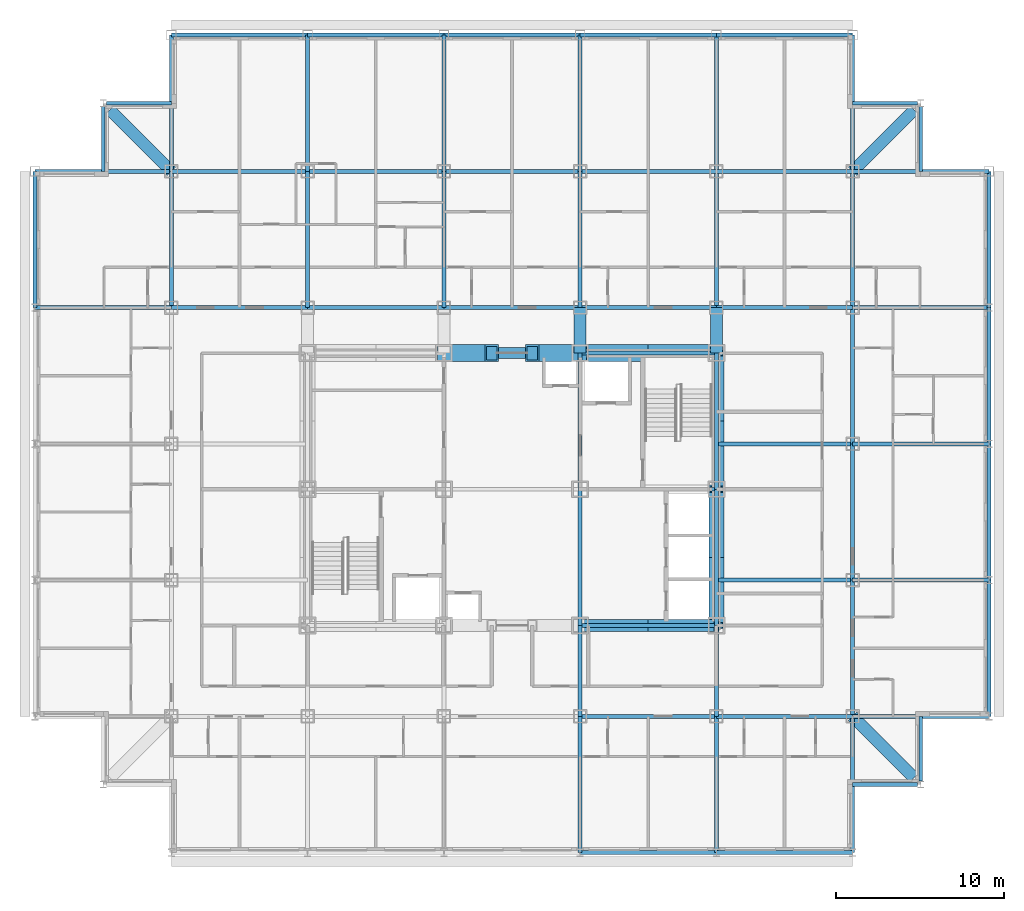
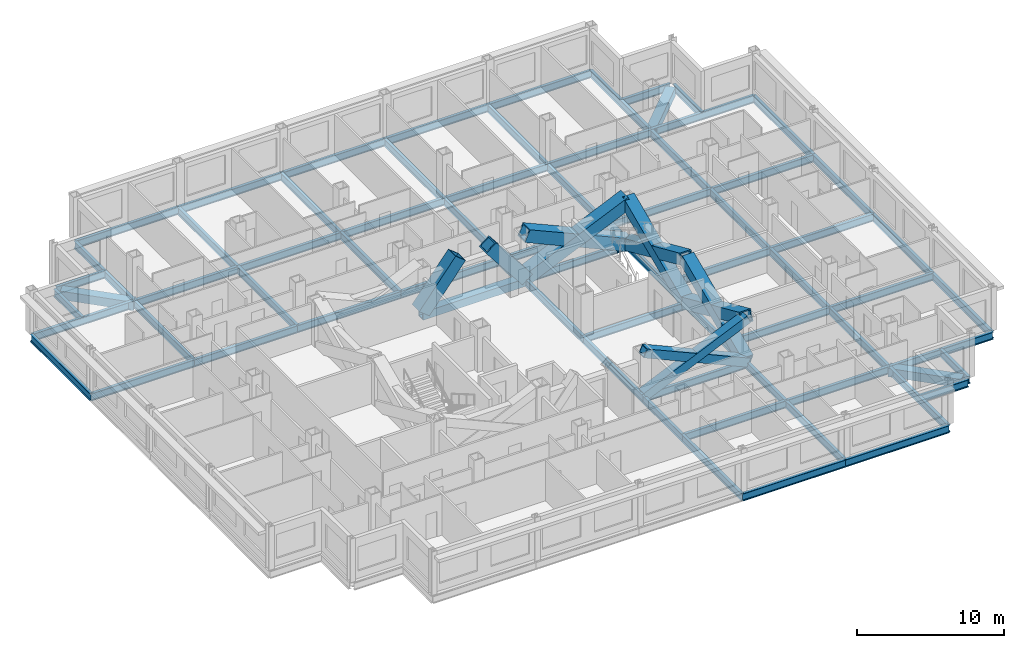
# One storey, part 2 of 12: 72 beams, 10 members.
"""IFC4 building model written with IfcOpenShell, lengths in metres."""

from ifc_helpers import new_model, si_unit, direction, frame, origin, origin_2d, place, context, subcontext, project, spatial, hollow_rectangle, i_section, extrude, material, material_profile, profile_set, type_object, element, save


model = new_model("IFC4")

# Units and contexts
model_context = context("Model", 3, precision=1e-05, world=origin(), true_north=direction((0.0, 1.0)))
body_context = subcontext(model_context, "Body", "Model", "MODEL_VIEW")
ifc_project = project(units=[si_unit("LENGTHUNIT", "METRE"), si_unit("AREAUNIT", "SQUARE_METRE"), si_unit("VOLUMEUNIT", "CUBIC_METRE"), si_unit("PLANEANGLEUNIT", "RADIAN"), si_unit("MASSUNIT", "GRAM", prefix="KILO")], contexts=[model_context])

# Site, building, storey
site_placement = place(None, origin())
site = spatial("IfcSite", under=ifc_project, at=site_placement, CompositionType="ELEMENT")
building_placement = place(site_placement, origin())
building = spatial("IfcBuilding", under=site, at=building_placement, Name="Kopane Lantern Tower", CompositionType="ELEMENT")
storey_placement = place(building_placement, frame((0.0, 0.0, 195.60009765625)))
storey = spatial("IfcBuildingStorey", under=building, at=storey_placement, Name="L50", CompositionType="ELEMENT", Elevation=195.60009765625)

# Members
ifc_material_1 = material(Name="Steel S355JR", Category="steel")
ifc_material_profile_1 = material_profile(ifc_material_1, hollow_rectangle(XDim=1.0, YDim=1.0, WallThickness=0.10009765625, at=origin_2d()), Name="BOX 1000x1000x100")
ifc_profile_set_1 = profile_set([ifc_material_profile_1], Name="Steel S355JR")
member_type_1 = type_object("IfcMemberType", Name="BRACE BOX 1000x1000x100", PredefinedType="BRACE", material=ifc_profile_set_1)
for number, where, z_axis, x_axis, name in (
    (1, (24.300048828125, 40.5, -0.210205078125), (0.620672981644, 0.0, 0.784069544018), (0.0, 1.0, 0.0), "Core brace L50"),
    (2, (32.39990234375, 40.5, -0.210205078125), (-0.620672981644, 0.0, 0.784069544018), (0.0, -1.0, 0.0), "Core brace L50"),
):
    element("IfcMember", number, at=place(storey_placement, frame(where, z_axis=z_axis, x_axis=x_axis)), inside=storey, type_object=member_type_1, Name=name, PredefinedType="BRACE", context=body_context, shape_type="SweptSolid", body=[
        extrude(hollow_rectangle(XDim=1.0, YDim=1.0, WallThickness=0.10009765625, at=origin_2d()), origin(), (0.0, 0.0, 1.0), 4.591552734375),
    ])
for number, where, z_axis, x_axis, name in (
    (3, (32.39990234375, 40.5, -0.210205078125), (0.913809277049, 0.0, 0.40614357705), (0.0, 1.0, 0.0), "Core brace L50"),
    (4, (40.5, 40.5, -0.210205078125), (-0.913809277049, 0.0, 0.40614357705), (0.0, -1.0, 0.0), "Core brace L50"),
):
    element("IfcMember", number, at=place(storey_placement, frame(where, z_axis=z_axis, x_axis=x_axis)), inside=storey, type_object=member_type_1, Name=name, PredefinedType="BRACE", context=body_context, shape_type="SweptSolid", body=[
        extrude(hollow_rectangle(XDim=1.0, YDim=1.0, WallThickness=0.10009765625, at=origin_2d()), origin(), (0.0, 0.0, 1.0), 8.864013671875),
    ])
ifc_material_2 = material(Name="Steel S355JR", Category="steel")
ifc_material_profile_2 = material_profile(ifc_material_2, hollow_rectangle(XDim=0.699951171875, YDim=0.699951171875, WallThickness=0.06005859375, at=origin_2d()), Name="BOX 700x700x60")
ifc_profile_set_2 = profile_set([ifc_material_profile_2], Name="Steel S355JR")
member_type_2 = type_object("IfcMemberType", Name="BRACE BOX 700x700x60", PredefinedType="BRACE", material=ifc_profile_set_2)
for number, where, z_axis, x_axis, name in (
    (5, (32.39990234375, 24.300048828125, -0.210205078125), (0.913809277049, 0.0, 0.40614357705), (0.0, 1.0, 0.0), "Core brace L50"),
    (6, (40.5, 24.300048828125, -0.210205078125), (-0.913809277049, 0.0, 0.40614357705), (0.0, -1.0, 0.0), "Core brace L50"),
):
    element("IfcMember", number, at=place(storey_placement, frame(where, z_axis=z_axis, x_axis=x_axis)), inside=storey, type_object=member_type_2, Name=name, PredefinedType="BRACE", context=body_context, shape_type="SweptSolid", body=[
        extrude(hollow_rectangle(XDim=0.699951171875, YDim=0.699951171875, WallThickness=0.06005859375, at=origin_2d()), origin(), (0.0, 0.0, 1.0), 8.864013671875),
    ])
ifc_material_3 = material(Name="Steel S355JR", Category="steel")
ifc_material_profile_3 = material_profile(ifc_material_3, hollow_rectangle(XDim=0.89990234375, YDim=0.89990234375, WallThickness=0.090087890625, at=origin_2d()), Name="BOX 900x900x90")
ifc_profile_set_3 = profile_set([ifc_material_profile_3], Name="Steel S355JR")
member_type_3 = type_object("IfcMemberType", Name="BRACE BOX 900x900x90", PredefinedType="BRACE", material=ifc_profile_set_3)
for number, where, z_axis, x_axis, name in (
    (7, (40.5, 24.300048828125, -0.210205078125), (0.0, 0.91380473365, 0.406153799391), (-1.0, 0.0, 0.0), "Core brace L50"),
    (8, (40.5, 32.39990234375, -0.210205078125), (0.0, -0.91380473365, 0.406153799391), (1.0, 0.0, 0.0), "Core brace L50"),
):
    element("IfcMember", number, at=place(storey_placement, frame(where, z_axis=z_axis, x_axis=x_axis)), inside=storey, type_object=member_type_3, Name=name, PredefinedType="BRACE", context=body_context, shape_type="SweptSolid", body=[
        extrude(hollow_rectangle(XDim=0.89990234375, YDim=0.89990234375, WallThickness=0.090087890625, at=origin_2d()), origin(), (0.0, 0.0, 1.0), 8.86376953125),
    ])
for number, where, z_axis, x_axis, name in (
    (9, (40.5, 32.39990234375, -0.210205078125), (0.0, 0.913809277049, 0.40614357705), (-1.0, 0.0, 0.0), "Core brace L50"),
    (10, (40.5, 40.5, -0.210205078125), (0.0, -0.913809277049, 0.40614357705), (1.0, 0.0, 0.0), "Core brace L50"),
):
    element("IfcMember", number, at=place(storey_placement, frame(where, z_axis=z_axis, x_axis=x_axis)), inside=storey, type_object=member_type_3, Name=name, PredefinedType="BRACE", context=body_context, shape_type="SweptSolid", body=[
        extrude(hollow_rectangle(XDim=0.89990234375, YDim=0.89990234375, WallThickness=0.090087890625, at=origin_2d()), origin(), (0.0, 0.0, 1.0), 8.864013671875),
    ])

# Beams
ifc_material_4 = material(Name="Steel S355JR", Category="steel")
ifc_material_profile_4 = material_profile(ifc_material_4, i_section(OverallWidth=0.22900390625, OverallDepth=0.6123046875, WebThickness=0.011962890625, FlangeThickness=0.01953125, FilletRadius=0.0126953125, at=origin_2d()), Name="UB 610x229x125")
ifc_profile_set_4 = profile_set([ifc_material_profile_4], Name="Steel S355JR")
beam_type_1 = type_object("IfcBeamType", Name="CORE BEAM UB 610x229x125", PredefinedType="BEAM", material=ifc_profile_set_4)
beam_1_placement = place(storey_placement, frame((32.39990234375, 24.300048828125, -0.51611328125), z_axis=(0.0, 1.0, 0.0), x_axis=(-1.0, 0.0, 0.0)))
element("IfcBeam", 11, at=beam_1_placement, inside=storey, type_object=beam_type_1, Name="Core Beam L50", PredefinedType="BEAM", context=body_context, shape_type="SweptSolid", body=[
    extrude(i_section(OverallWidth=0.22900390625, OverallDepth=0.6123046875, WebThickness=0.011962890625, FlangeThickness=0.01953125, FilletRadius=0.0126953125, at=origin_2d()), origin(), (0.0, 0.0, 1.0), 8.099853515625),
])
for number, where, z_axis, x_axis, name in (
    (12, (32.39990234375, 32.39990234375, -0.51611328125), (0.0, 1.0, 0.0), (-1.0, 0.0, 0.0), "Core Beam L50"),
    (13, (32.39990234375, 32.39990234375, -0.51611328125), (1.0, 0.0, 0.0), (0.0, 1.0, 0.0), "Core Beam L50"),
):
    element("IfcBeam", number, at=place(storey_placement, frame(where, z_axis=z_axis, x_axis=x_axis)), inside=storey, type_object=beam_type_1, Name=name, PredefinedType="BEAM", context=body_context, shape_type="SweptSolid", body=[
        extrude(i_section(OverallWidth=0.22900390625, OverallDepth=0.6123046875, WebThickness=0.011962890625, FlangeThickness=0.01953125, FilletRadius=0.0126953125, at=origin_2d()), origin(), (0.0, 0.0, 1.0), 8.10009765625),
    ])
ifc_material_5 = material(Name="Steel S355JR", Category="steel")
ifc_material_profile_5 = material_profile(ifc_material_5, hollow_rectangle(XDim=0.699951171875, YDim=0.699951171875, WallThickness=0.06005859375, at=origin_2d()), Name="BOX 700x700x60")
ifc_profile_set_5 = profile_set([ifc_material_profile_5], Name="Steel S355JR")
beam_type_2 = type_object("IfcBeamType", Name="CORNER TIE BEAM BOX 700x700x60", PredefinedType="BEAM", material=ifc_profile_set_5)
for number, where, z_axis, x_axis, name in (
    (14, (4.447509765625, 54.952392578125, -0.56005859375), (0.70713041325, -0.707083148333, 0.0), (0.707083148333, 0.70713041325, 0.0), "Corner Tie Beam L50"),
    (15, (52.25244140625, 15.24755859375, -0.56005859375), (-0.707106781187, 0.707106781187, 0.0), (-0.707106781187, -0.707106781187, 0.0), "Corner Tie Beam L50"),
    (16, (52.25244140625, 54.952392578125, -0.56005859375), (-0.707106781187, -0.707106781187, 0.0), (0.707106781187, -0.707106781187, 0.0), "Corner Tie Beam L50"),
):
    element("IfcBeam", number, at=place(storey_placement, frame(where, z_axis=z_axis, x_axis=x_axis)), inside=storey, type_object=beam_type_2, Name=name, PredefinedType="BEAM", context=body_context, shape_type="SweptSolid", body=[
        extrude(hollow_rectangle(XDim=0.699951171875, YDim=0.699951171875, WallThickness=0.06005859375, at=origin_2d()), origin(), (0.0, 0.0, 1.0), 5.165283203125),
    ])
ifc_material_6 = material(Name="Steel S355JR", Category="steel")
ifc_material_profile_6 = material_profile(ifc_material_6, i_section(OverallWidth=0.22900390625, OverallDepth=0.6123046875, WebThickness=0.011962890625, FlangeThickness=0.01953125, FilletRadius=0.0126953125, at=origin_2d()), Name="UB 610x229x125")
ifc_profile_set_6 = profile_set([ifc_material_profile_6], Name="Steel S355JR")
beam_type_3 = type_object("IfcBeamType", Name="EDGE BEAM UB 610x229x125", PredefinedType="BEAM", material=ifc_profile_set_6)
beam_2_placement = place(storey_placement, frame((4.050048828125, 55.146484375, -0.51611328125), z_axis=(0.0, -1.0, 0.0), x_axis=(1.0, 0.0, 0.0)))
element("IfcBeam", 17, at=beam_2_placement, inside=storey, type_object=beam_type_3, Name="Edge Beam L50", PredefinedType="BEAM", context=body_context, shape_type="SweptSolid", body=[
    extrude(i_section(OverallWidth=0.22900390625, OverallDepth=0.6123046875, WebThickness=0.011962890625, FlangeThickness=0.01953125, FilletRadius=0.0126953125, at=origin_2d()), origin(), (0.0, 0.0, 1.0), 3.846435546875),
])
beam_3_placement = place(storey_placement, frame((4.25341796875, 55.35009765625, -0.51611328125), z_axis=(1.0, 0.0, 0.0), x_axis=(0.0, 1.0, 0.0)))
element("IfcBeam", 18, at=beam_3_placement, inside=storey, type_object=beam_type_3, Name="Edge Beam L50", PredefinedType="BEAM", context=body_context, shape_type="SweptSolid", body=[
    extrude(i_section(OverallWidth=0.22900390625, OverallDepth=0.6123046875, WebThickness=0.011962890625, FlangeThickness=0.01953125, FilletRadius=0.0126953125, at=origin_2d()), origin(), (0.0, 0.0, 1.0), 3.8466796875),
])
for number, where, z_axis, x_axis, name in (
    (19, (52.446533203125, 14.85009765625, -0.51611328125), (-1.0, 0.0, 0.0), (0.0, -1.0, 0.0), "Edge Beam L50"),
    (20, (52.446533203125, 55.35009765625, -0.51611328125), (-1.0, 0.0, 0.0), (0.0, -1.0, 0.0), "Edge Beam L50"),
    (21, (52.64990234375, 15.053466796875, -0.51611328125), (0.0, 1.0, 0.0), (-1.0, 0.0, 0.0), "Edge Beam L50"),
    (22, (52.64990234375, 55.146484375, -0.51611328125), (0.0, -1.0, 0.0), (1.0, 0.0, 0.0), "Edge Beam L50"),
):
    element("IfcBeam", number, at=place(storey_placement, frame(where, z_axis=z_axis, x_axis=x_axis)), inside=storey, type_object=beam_type_3, Name=name, PredefinedType="BEAM", context=body_context, shape_type="SweptSolid", body=[
        extrude(i_section(OverallWidth=0.22900390625, OverallDepth=0.6123046875, WebThickness=0.011962890625, FlangeThickness=0.01953125, FilletRadius=0.0126953125, at=origin_2d()), origin(), (0.0, 0.0, 1.0), 3.846435546875),
    ])
ifc_material_7 = material(Name="Steel S355JR", Category="steel")
ifc_material_profile_7 = material_profile(ifc_material_7, hollow_rectangle(XDim=0.699951171875, YDim=0.699951171875, WallThickness=0.06005859375, at=origin_2d()), Name="BOX 700x700x60")
ifc_profile_set_7 = profile_set([ifc_material_profile_7], Name="Steel S355JR")
beam_type_4 = type_object("IfcBeamType", Name="GIRDER BOX 700x700x60", PredefinedType="BEAM", material=ifc_profile_set_7)
for number, where, z_axis, x_axis, name in (
    (23, (32.39990234375, 40.5, -0.56005859375), (0.0, 1.0, 0.0), (-1.0, 0.0, 0.0), "Girder L50"),
    (24, (40.5, 40.5, -0.56005859375), (0.0, 1.0, 0.0), (-1.0, 0.0, 0.0), "Girder L50"),
):
    element("IfcBeam", number, at=place(storey_placement, frame(where, z_axis=z_axis, x_axis=x_axis)), inside=storey, type_object=beam_type_4, Name=name, PredefinedType="BEAM", context=body_context, shape_type="SweptSolid", body=[
        extrude(hollow_rectangle(XDim=0.699951171875, YDim=0.699951171875, WallThickness=0.06005859375, at=origin_2d()), origin(), (0.0, 0.0, 1.0), 2.699951171875),
    ])
ifc_material_8 = material(Name="Steel S355JR", Category="steel")
ifc_material_profile_8 = material_profile(ifc_material_8, i_section(OverallWidth=0.22900390625, OverallDepth=0.6123046875, WebThickness=0.011962890625, FlangeThickness=0.01953125, FilletRadius=0.0126953125, at=origin_2d()), Name="UB 610x229x125")
ifc_profile_set_8 = profile_set([ifc_material_profile_8], Name="Steel S355JR")
beam_type_5 = type_object("IfcBeamType", Name="GIRDER UB 610x229x125", PredefinedType="BEAM", material=ifc_profile_set_8)
for number, where, z_axis, x_axis, name in (
    (25, (0.0, 43.199951171875, -0.51611328125), (0.0, 1.0, 0.0), (-1.0, 0.0, 0.0), "Girder L50"),
    (26, (0.0, 43.199951171875, -0.51611328125), (1.0, 0.0, 0.0), (0.0, 1.0, 0.0), "Girder L50"),
    (27, (0.0, 51.300048828125, -0.51611328125), (1.0, 0.0, 0.0), (0.0, 1.0, 0.0), "Girder L50"),
    (28, (8.10009765625, 43.199951171875, -0.51611328125), (0.0, 1.0, 0.0), (-1.0, 0.0, 0.0), "Girder L50"),
):
    element("IfcBeam", number, at=place(storey_placement, frame(where, z_axis=z_axis, x_axis=x_axis)), inside=storey, type_object=beam_type_5, Name=name, PredefinedType="BEAM", context=body_context, shape_type="SweptSolid", body=[
        extrude(i_section(OverallWidth=0.22900390625, OverallDepth=0.6123046875, WebThickness=0.011962890625, FlangeThickness=0.01953125, FilletRadius=0.0126953125, at=origin_2d()), origin(), (0.0, 0.0, 1.0), 8.10009765625),
    ])
for number, where, z_axis, x_axis, name in (
    (29, (8.10009765625, 43.199951171875, -0.51611328125), (1.0, 0.0, 0.0), (0.0, 1.0, 0.0), "Girder L50"),
    (30, (8.10009765625, 51.300048828125, -0.51611328125), (0.0, 1.0, 0.0), (-1.0, 0.0, 0.0), "Girder L50"),
    (31, (8.10009765625, 51.300048828125, -0.51611328125), (1.0, 0.0, 0.0), (0.0, 1.0, 0.0), "Girder L50"),
    (32, (8.10009765625, 59.39990234375, -0.51611328125), (1.0, 0.0, 0.0), (0.0, 1.0, 0.0), "Girder L50"),
):
    element("IfcBeam", number, at=place(storey_placement, frame(where, z_axis=z_axis, x_axis=x_axis)), inside=storey, type_object=beam_type_5, Name=name, PredefinedType="BEAM", context=body_context, shape_type="SweptSolid", body=[
        extrude(i_section(OverallWidth=0.22900390625, OverallDepth=0.6123046875, WebThickness=0.011962890625, FlangeThickness=0.01953125, FilletRadius=0.0126953125, at=origin_2d()), origin(), (0.0, 0.0, 1.0), 8.099853515625),
    ])
for number, where, z_axis, x_axis, name in (
    (33, (16.199951171875, 43.199951171875, -0.51611328125), (0.0, 1.0, 0.0), (-1.0, 0.0, 0.0), "Girder L50"),
    (34, (16.199951171875, 43.199951171875, -0.51611328125), (1.0, 0.0, 0.0), (0.0, 1.0, 0.0), "Girder L50"),
):
    element("IfcBeam", number, at=place(storey_placement, frame(where, z_axis=z_axis, x_axis=x_axis)), inside=storey, type_object=beam_type_5, Name=name, PredefinedType="BEAM", context=body_context, shape_type="SweptSolid", body=[
        extrude(i_section(OverallWidth=0.22900390625, OverallDepth=0.6123046875, WebThickness=0.011962890625, FlangeThickness=0.01953125, FilletRadius=0.0126953125, at=origin_2d()), origin(), (0.0, 0.0, 1.0), 8.10009765625),
    ])
beam_4_placement = place(storey_placement, frame((16.199951171875, 51.300048828125, -0.51611328125), z_axis=(0.0, 1.0, 0.0), x_axis=(-1.0, 0.0, 0.0)))
element("IfcBeam", 35, at=beam_4_placement, inside=storey, type_object=beam_type_5, Name="Girder L50", PredefinedType="BEAM", context=body_context, shape_type="SweptSolid", body=[
    extrude(i_section(OverallWidth=0.22900390625, OverallDepth=0.6123046875, WebThickness=0.011962890625, FlangeThickness=0.01953125, FilletRadius=0.0126953125, at=origin_2d()), origin(), (0.0, 0.0, 1.0), 8.099853515625),
])
for number, where, z_axis, x_axis, name in (
    (36, (16.199951171875, 51.300048828125, -0.51611328125), (1.0, 0.0, 0.0), (0.0, 1.0, 0.0), "Girder L50"),
    (37, (16.199951171875, 59.39990234375, -0.51611328125), (1.0, 0.0, 0.0), (0.0, 1.0, 0.0), "Girder L50"),
    (38, (24.300048828125, 43.199951171875, -0.51611328125), (0.0, 1.0, 0.0), (-1.0, 0.0, 0.0), "Girder L50"),
):
    element("IfcBeam", number, at=place(storey_placement, frame(where, z_axis=z_axis, x_axis=x_axis)), inside=storey, type_object=beam_type_5, Name=name, PredefinedType="BEAM", context=body_context, shape_type="SweptSolid", body=[
        extrude(i_section(OverallWidth=0.22900390625, OverallDepth=0.6123046875, WebThickness=0.011962890625, FlangeThickness=0.01953125, FilletRadius=0.0126953125, at=origin_2d()), origin(), (0.0, 0.0, 1.0), 8.10009765625),
    ])
for number, where, z_axis, x_axis, name in (
    (39, (24.300048828125, 43.199951171875, -0.51611328125), (1.0, 0.0, 0.0), (0.0, 1.0, 0.0), "Girder L50"),
    (40, (24.300048828125, 51.300048828125, -0.51611328125), (0.0, 1.0, 0.0), (-1.0, 0.0, 0.0), "Girder L50"),
    (41, (24.300048828125, 51.300048828125, -0.51611328125), (1.0, 0.0, 0.0), (0.0, 1.0, 0.0), "Girder L50"),
    (42, (24.300048828125, 59.39990234375, -0.51611328125), (1.0, 0.0, 0.0), (0.0, 1.0, 0.0), "Girder L50"),
    (43, (32.39990234375, 10.800048828125, -0.51611328125), (0.0, 1.0, 0.0), (-1.0, 0.0, 0.0), "Girder L50"),
):
    element("IfcBeam", number, at=place(storey_placement, frame(where, z_axis=z_axis, x_axis=x_axis)), inside=storey, type_object=beam_type_5, Name=name, PredefinedType="BEAM", context=body_context, shape_type="SweptSolid", body=[
        extrude(i_section(OverallWidth=0.22900390625, OverallDepth=0.6123046875, WebThickness=0.011962890625, FlangeThickness=0.01953125, FilletRadius=0.0126953125, at=origin_2d()), origin(), (0.0, 0.0, 1.0), 8.099853515625),
    ])
beam_5_placement = place(storey_placement, frame((32.39990234375, 10.800048828125, -0.51611328125), z_axis=(1.0, 0.0, 0.0), x_axis=(0.0, 1.0, 0.0)))
element("IfcBeam", 44, at=beam_5_placement, inside=storey, type_object=beam_type_5, Name="Girder L50", PredefinedType="BEAM", context=body_context, shape_type="SweptSolid", body=[
    extrude(i_section(OverallWidth=0.22900390625, OverallDepth=0.6123046875, WebThickness=0.011962890625, FlangeThickness=0.01953125, FilletRadius=0.0126953125, at=origin_2d()), origin(), (0.0, 0.0, 1.0), 8.10009765625),
])
beam_6_placement = place(storey_placement, frame((32.39990234375, 18.89990234375, -0.51611328125), z_axis=(0.0, 1.0, 0.0), x_axis=(-1.0, 0.0, 0.0)))
element("IfcBeam", 45, at=beam_6_placement, inside=storey, type_object=beam_type_5, Name="Girder L50", PredefinedType="BEAM", context=body_context, shape_type="SweptSolid", body=[
    extrude(i_section(OverallWidth=0.22900390625, OverallDepth=0.6123046875, WebThickness=0.011962890625, FlangeThickness=0.01953125, FilletRadius=0.0126953125, at=origin_2d()), origin(), (0.0, 0.0, 1.0), 5.400146484375),
])
for number, where, z_axis, x_axis, name in (
    (46, (32.39990234375, 18.89990234375, -0.51611328125), (1.0, 0.0, 0.0), (0.0, 1.0, 0.0), "Girder L50"),
    (47, (32.39990234375, 24.300048828125, -0.51611328125), (1.0, 0.0, 0.0), (0.0, 1.0, 0.0), "Girder L50"),
    (48, (32.39990234375, 40.5, -0.51611328125), (1.0, 0.0, 0.0), (0.0, 1.0, 0.0), "Girder L50"),
    (49, (32.39990234375, 43.199951171875, -0.51611328125), (0.0, 1.0, 0.0), (-1.0, 0.0, 0.0), "Girder L50"),
    (50, (32.39990234375, 43.199951171875, -0.51611328125), (1.0, 0.0, 0.0), (0.0, 1.0, 0.0), "Girder L50"),
):
    element("IfcBeam", number, at=place(storey_placement, frame(where, z_axis=z_axis, x_axis=x_axis)), inside=storey, type_object=beam_type_5, Name=name, PredefinedType="BEAM", context=body_context, shape_type="SweptSolid", body=[
        extrude(i_section(OverallWidth=0.22900390625, OverallDepth=0.6123046875, WebThickness=0.011962890625, FlangeThickness=0.01953125, FilletRadius=0.0126953125, at=origin_2d()), origin(), (0.0, 0.0, 1.0), 8.10009765625),
    ])
beam_7_placement = place(storey_placement, frame((32.39990234375, 51.300048828125, -0.51611328125), z_axis=(0.0, 1.0, 0.0), x_axis=(-1.0, 0.0, 0.0)))
element("IfcBeam", 51, at=beam_7_placement, inside=storey, type_object=beam_type_5, Name="Girder L50", PredefinedType="BEAM", context=body_context, shape_type="SweptSolid", body=[
    extrude(i_section(OverallWidth=0.22900390625, OverallDepth=0.6123046875, WebThickness=0.011962890625, FlangeThickness=0.01953125, FilletRadius=0.0126953125, at=origin_2d()), origin(), (0.0, 0.0, 1.0), 8.099853515625),
])
for number, where, z_axis, x_axis, name in (
    (52, (32.39990234375, 51.300048828125, -0.51611328125), (1.0, 0.0, 0.0), (0.0, 1.0, 0.0), "Girder L50"),
    (53, (32.39990234375, 59.39990234375, -0.51611328125), (1.0, 0.0, 0.0), (0.0, 1.0, 0.0), "Girder L50"),
):
    element("IfcBeam", number, at=place(storey_placement, frame(where, z_axis=z_axis, x_axis=x_axis)), inside=storey, type_object=beam_type_5, Name=name, PredefinedType="BEAM", context=body_context, shape_type="SweptSolid", body=[
        extrude(i_section(OverallWidth=0.22900390625, OverallDepth=0.6123046875, WebThickness=0.011962890625, FlangeThickness=0.01953125, FilletRadius=0.0126953125, at=origin_2d()), origin(), (0.0, 0.0, 1.0), 8.10009765625),
    ])
beam_8_placement = place(storey_placement, frame((40.5, 10.800048828125, -0.51611328125), z_axis=(0.0, 1.0, 0.0), x_axis=(-1.0, 0.0, 0.0)))
element("IfcBeam", 54, at=beam_8_placement, inside=storey, type_object=beam_type_5, Name="Girder L50", PredefinedType="BEAM", context=body_context, shape_type="SweptSolid", body=[
    extrude(i_section(OverallWidth=0.22900390625, OverallDepth=0.6123046875, WebThickness=0.011962890625, FlangeThickness=0.01953125, FilletRadius=0.0126953125, at=origin_2d()), origin(), (0.0, 0.0, 1.0), 8.099853515625),
])
beam_9_placement = place(storey_placement, frame((40.5, 10.800048828125, -0.51611328125), z_axis=(1.0, 0.0, 0.0), x_axis=(0.0, 1.0, 0.0)))
element("IfcBeam", 55, at=beam_9_placement, inside=storey, type_object=beam_type_5, Name="Girder L50", PredefinedType="BEAM", context=body_context, shape_type="SweptSolid", body=[
    extrude(i_section(OverallWidth=0.22900390625, OverallDepth=0.6123046875, WebThickness=0.011962890625, FlangeThickness=0.01953125, FilletRadius=0.0126953125, at=origin_2d()), origin(), (0.0, 0.0, 1.0), 8.10009765625),
])
beam_10_placement = place(storey_placement, frame((40.5, 18.89990234375, -0.51611328125), z_axis=(0.0, 1.0, 0.0), x_axis=(-1.0, 0.0, 0.0)))
element("IfcBeam", 56, at=beam_10_placement, inside=storey, type_object=beam_type_5, Name="Girder L50", PredefinedType="BEAM", context=body_context, shape_type="SweptSolid", body=[
    extrude(i_section(OverallWidth=0.22900390625, OverallDepth=0.6123046875, WebThickness=0.011962890625, FlangeThickness=0.01953125, FilletRadius=0.0126953125, at=origin_2d()), origin(), (0.0, 0.0, 1.0), 5.400146484375),
])
beam_11_placement = place(storey_placement, frame((40.5, 18.89990234375, -0.51611328125), z_axis=(1.0, 0.0, 0.0), x_axis=(0.0, 1.0, 0.0)))
element("IfcBeam", 57, at=beam_11_placement, inside=storey, type_object=beam_type_5, Name="Girder L50", PredefinedType="BEAM", context=body_context, shape_type="SweptSolid", body=[
    extrude(i_section(OverallWidth=0.22900390625, OverallDepth=0.6123046875, WebThickness=0.011962890625, FlangeThickness=0.01953125, FilletRadius=0.0126953125, at=origin_2d()), origin(), (0.0, 0.0, 1.0), 8.10009765625),
])
beam_12_placement = place(storey_placement, frame((40.5, 24.300048828125, -0.51611328125), z_axis=(0.0, 1.0, 0.0), x_axis=(-1.0, 0.0, 0.0)))
element("IfcBeam", 58, at=beam_12_placement, inside=storey, type_object=beam_type_5, Name="Girder L50", PredefinedType="BEAM", context=body_context, shape_type="SweptSolid", body=[
    extrude(i_section(OverallWidth=0.22900390625, OverallDepth=0.6123046875, WebThickness=0.011962890625, FlangeThickness=0.01953125, FilletRadius=0.0126953125, at=origin_2d()), origin(), (0.0, 0.0, 1.0), 8.099853515625),
])
for number, where, z_axis, x_axis, name in (
    (59, (40.5, 27.0, -0.51611328125), (1.0, 0.0, 0.0), (0.0, 1.0, 0.0), "Girder L50"),
    (60, (40.5, 32.39990234375, -0.51611328125), (0.0, 1.0, 0.0), (-1.0, 0.0, 0.0), "Girder L50"),
    (61, (40.5, 35.10009765625, -0.51611328125), (1.0, 0.0, 0.0), (0.0, 1.0, 0.0), "Girder L50"),
    (62, (40.5, 43.199951171875, -0.51611328125), (0.0, 1.0, 0.0), (-1.0, 0.0, 0.0), "Girder L50"),
    (63, (40.5, 43.199951171875, -0.51611328125), (1.0, 0.0, 0.0), (0.0, 1.0, 0.0), "Girder L50"),
):
    element("IfcBeam", number, at=place(storey_placement, frame(where, z_axis=z_axis, x_axis=x_axis)), inside=storey, type_object=beam_type_5, Name=name, PredefinedType="BEAM", context=body_context, shape_type="SweptSolid", body=[
        extrude(i_section(OverallWidth=0.22900390625, OverallDepth=0.6123046875, WebThickness=0.011962890625, FlangeThickness=0.01953125, FilletRadius=0.0126953125, at=origin_2d()), origin(), (0.0, 0.0, 1.0), 8.10009765625),
    ])
beam_13_placement = place(storey_placement, frame((40.5, 51.300048828125, -0.51611328125), z_axis=(0.0, 1.0, 0.0), x_axis=(-1.0, 0.0, 0.0)))
element("IfcBeam", 64, at=beam_13_placement, inside=storey, type_object=beam_type_5, Name="Girder L50", PredefinedType="BEAM", context=body_context, shape_type="SweptSolid", body=[
    extrude(i_section(OverallWidth=0.22900390625, OverallDepth=0.6123046875, WebThickness=0.011962890625, FlangeThickness=0.01953125, FilletRadius=0.0126953125, at=origin_2d()), origin(), (0.0, 0.0, 1.0), 8.099853515625),
])
for number, where, z_axis, x_axis, name in (
    (65, (40.5, 51.300048828125, -0.51611328125), (1.0, 0.0, 0.0), (0.0, 1.0, 0.0), "Girder L50"),
    (66, (40.5, 59.39990234375, -0.51611328125), (1.0, 0.0, 0.0), (0.0, 1.0, 0.0), "Girder L50"),
):
    element("IfcBeam", number, at=place(storey_placement, frame(where, z_axis=z_axis, x_axis=x_axis)), inside=storey, type_object=beam_type_5, Name=name, PredefinedType="BEAM", context=body_context, shape_type="SweptSolid", body=[
        extrude(i_section(OverallWidth=0.22900390625, OverallDepth=0.6123046875, WebThickness=0.011962890625, FlangeThickness=0.01953125, FilletRadius=0.0126953125, at=origin_2d()), origin(), (0.0, 0.0, 1.0), 8.10009765625),
    ])
beam_14_placement = place(storey_placement, frame((48.60009765625, 10.800048828125, -0.51611328125), z_axis=(0.0, 1.0, 0.0), x_axis=(-1.0, 0.0, 0.0)))
element("IfcBeam", 67, at=beam_14_placement, inside=storey, type_object=beam_type_5, Name="Girder L50", PredefinedType="BEAM", context=body_context, shape_type="SweptSolid", body=[
    extrude(i_section(OverallWidth=0.22900390625, OverallDepth=0.6123046875, WebThickness=0.011962890625, FlangeThickness=0.01953125, FilletRadius=0.0126953125, at=origin_2d()), origin(), (0.0, 0.0, 1.0), 8.099853515625),
])
beam_15_placement = place(storey_placement, frame((48.60009765625, 18.89990234375, -0.51611328125), z_axis=(0.0, 1.0, 0.0), x_axis=(-1.0, 0.0, 0.0)))
element("IfcBeam", 68, at=beam_15_placement, inside=storey, type_object=beam_type_5, Name="Girder L50", PredefinedType="BEAM", context=body_context, shape_type="SweptSolid", body=[
    extrude(i_section(OverallWidth=0.22900390625, OverallDepth=0.6123046875, WebThickness=0.011962890625, FlangeThickness=0.01953125, FilletRadius=0.0126953125, at=origin_2d()), origin(), (0.0, 0.0, 1.0), 8.10009765625),
])
beam_16_placement = place(storey_placement, frame((48.60009765625, 18.89990234375, -0.51611328125), z_axis=(1.0, 0.0, 0.0), x_axis=(0.0, 1.0, 0.0)))
element("IfcBeam", 69, at=beam_16_placement, inside=storey, type_object=beam_type_5, Name="Girder L50", PredefinedType="BEAM", context=body_context, shape_type="SweptSolid", body=[
    extrude(i_section(OverallWidth=0.22900390625, OverallDepth=0.6123046875, WebThickness=0.011962890625, FlangeThickness=0.01953125, FilletRadius=0.0126953125, at=origin_2d()), origin(), (0.0, 0.0, 1.0), 8.099853515625),
])
beam_17_placement = place(storey_placement, frame((48.60009765625, 27.0, -0.51611328125), z_axis=(0.0, 1.0, 0.0), x_axis=(-1.0, 0.0, 0.0)))
element("IfcBeam", 70, at=beam_17_placement, inside=storey, type_object=beam_type_5, Name="Girder L50", PredefinedType="BEAM", context=body_context, shape_type="SweptSolid", body=[
    extrude(i_section(OverallWidth=0.22900390625, OverallDepth=0.6123046875, WebThickness=0.011962890625, FlangeThickness=0.01953125, FilletRadius=0.0126953125, at=origin_2d()), origin(), (0.0, 0.0, 1.0), 8.10009765625),
])
for number, where, z_axis, x_axis, name in (
    (71, (48.60009765625, 27.0, -0.51611328125), (1.0, 0.0, 0.0), (0.0, 1.0, 0.0), "Girder L50"),
    (72, (48.60009765625, 35.10009765625, -0.51611328125), (0.0, 1.0, 0.0), (-1.0, 0.0, 0.0), "Girder L50"),
    (73, (48.60009765625, 35.10009765625, -0.51611328125), (1.0, 0.0, 0.0), (0.0, 1.0, 0.0), "Girder L50"),
):
    element("IfcBeam", number, at=place(storey_placement, frame(where, z_axis=z_axis, x_axis=x_axis)), inside=storey, type_object=beam_type_5, Name=name, PredefinedType="BEAM", context=body_context, shape_type="SweptSolid", body=[
        extrude(i_section(OverallWidth=0.22900390625, OverallDepth=0.6123046875, WebThickness=0.011962890625, FlangeThickness=0.01953125, FilletRadius=0.0126953125, at=origin_2d()), origin(), (0.0, 0.0, 1.0), 8.099853515625),
    ])
beam_18_placement = place(storey_placement, frame((48.60009765625, 43.199951171875, -0.51611328125), z_axis=(0.0, 1.0, 0.0), x_axis=(-1.0, 0.0, 0.0)))
element("IfcBeam", 74, at=beam_18_placement, inside=storey, type_object=beam_type_5, Name="Girder L50", PredefinedType="BEAM", context=body_context, shape_type="SweptSolid", body=[
    extrude(i_section(OverallWidth=0.22900390625, OverallDepth=0.6123046875, WebThickness=0.011962890625, FlangeThickness=0.01953125, FilletRadius=0.0126953125, at=origin_2d()), origin(), (0.0, 0.0, 1.0), 8.10009765625),
])
for number, where, z_axis, x_axis, name in (
    (75, (48.60009765625, 43.199951171875, -0.51611328125), (1.0, 0.0, 0.0), (0.0, 1.0, 0.0), "Girder L50"),
    (76, (48.60009765625, 51.300048828125, -0.51611328125), (0.0, 1.0, 0.0), (-1.0, 0.0, 0.0), "Girder L50"),
    (77, (48.60009765625, 51.300048828125, -0.51611328125), (1.0, 0.0, 0.0), (0.0, 1.0, 0.0), "Girder L50"),
):
    element("IfcBeam", number, at=place(storey_placement, frame(where, z_axis=z_axis, x_axis=x_axis)), inside=storey, type_object=beam_type_5, Name=name, PredefinedType="BEAM", context=body_context, shape_type="SweptSolid", body=[
        extrude(i_section(OverallWidth=0.22900390625, OverallDepth=0.6123046875, WebThickness=0.011962890625, FlangeThickness=0.01953125, FilletRadius=0.0126953125, at=origin_2d()), origin(), (0.0, 0.0, 1.0), 8.099853515625),
    ])
for number, where, z_axis, x_axis, name in (
    (78, (56.699951171875, 18.89990234375, -0.51611328125), (0.0, 1.0, 0.0), (-1.0, 0.0, 0.0), "Girder L50"),
    (79, (56.699951171875, 27.0, -0.51611328125), (0.0, 1.0, 0.0), (-1.0, 0.0, 0.0), "Girder L50"),
):
    element("IfcBeam", number, at=place(storey_placement, frame(where, z_axis=z_axis, x_axis=x_axis)), inside=storey, type_object=beam_type_5, Name=name, PredefinedType="BEAM", context=body_context, shape_type="SweptSolid", body=[
        extrude(i_section(OverallWidth=0.22900390625, OverallDepth=0.6123046875, WebThickness=0.011962890625, FlangeThickness=0.01953125, FilletRadius=0.0126953125, at=origin_2d()), origin(), (0.0, 0.0, 1.0), 8.10009765625),
    ])
beam_19_placement = place(storey_placement, frame((56.699951171875, 35.10009765625, -0.51611328125), z_axis=(0.0, 1.0, 0.0), x_axis=(-1.0, 0.0, 0.0)))
element("IfcBeam", 80, at=beam_19_placement, inside=storey, type_object=beam_type_5, Name="Girder L50", PredefinedType="BEAM", context=body_context, shape_type="SweptSolid", body=[
    extrude(i_section(OverallWidth=0.22900390625, OverallDepth=0.6123046875, WebThickness=0.011962890625, FlangeThickness=0.01953125, FilletRadius=0.0126953125, at=origin_2d()), origin(), (0.0, 0.0, 1.0), 8.099853515625),
])
beam_20_placement = place(storey_placement, frame((56.699951171875, 43.199951171875, -0.51611328125), z_axis=(0.0, 1.0, 0.0), x_axis=(-1.0, 0.0, 0.0)))
element("IfcBeam", 81, at=beam_20_placement, inside=storey, type_object=beam_type_5, Name="Girder L50", PredefinedType="BEAM", context=body_context, shape_type="SweptSolid", body=[
    extrude(i_section(OverallWidth=0.22900390625, OverallDepth=0.6123046875, WebThickness=0.011962890625, FlangeThickness=0.01953125, FilletRadius=0.0126953125, at=origin_2d()), origin(), (0.0, 0.0, 1.0), 8.10009765625),
])
ifc_material_9 = material(Name="Steel S355JR", Category="steel")
ifc_material_profile_9 = material_profile(ifc_material_9, hollow_rectangle(XDim=0.64990234375, YDim=0.64990234375, WallThickness=0.070068359375, at=origin_2d()), Name="BOX 650x650x70")
ifc_profile_set_9 = profile_set([ifc_material_profile_9], Name="Steel S355JR")
beam_type_6 = type_object("IfcBeamType", Name="LINK BEAM BOX 650x650x70", PredefinedType="BEAM", material=ifc_profile_set_9)
beam_21_placement = place(storey_placement, frame((24.300048828125, 40.5, -0.53515625), z_axis=(1.0, 0.0, 0.0), x_axis=(0.0, 1.0, 0.0)))
element("IfcBeam", 82, at=beam_21_placement, inside=storey, type_object=beam_type_6, Name="Link Beam L50", PredefinedType="BEAM", context=body_context, shape_type="SweptSolid", body=[
    extrude(hollow_rectangle(XDim=0.64990234375, YDim=0.64990234375, WallThickness=0.070068359375, at=origin_2d()), origin(), (0.0, 0.0, 1.0), 8.099853515625),
])

save(model, "model.ifc")
